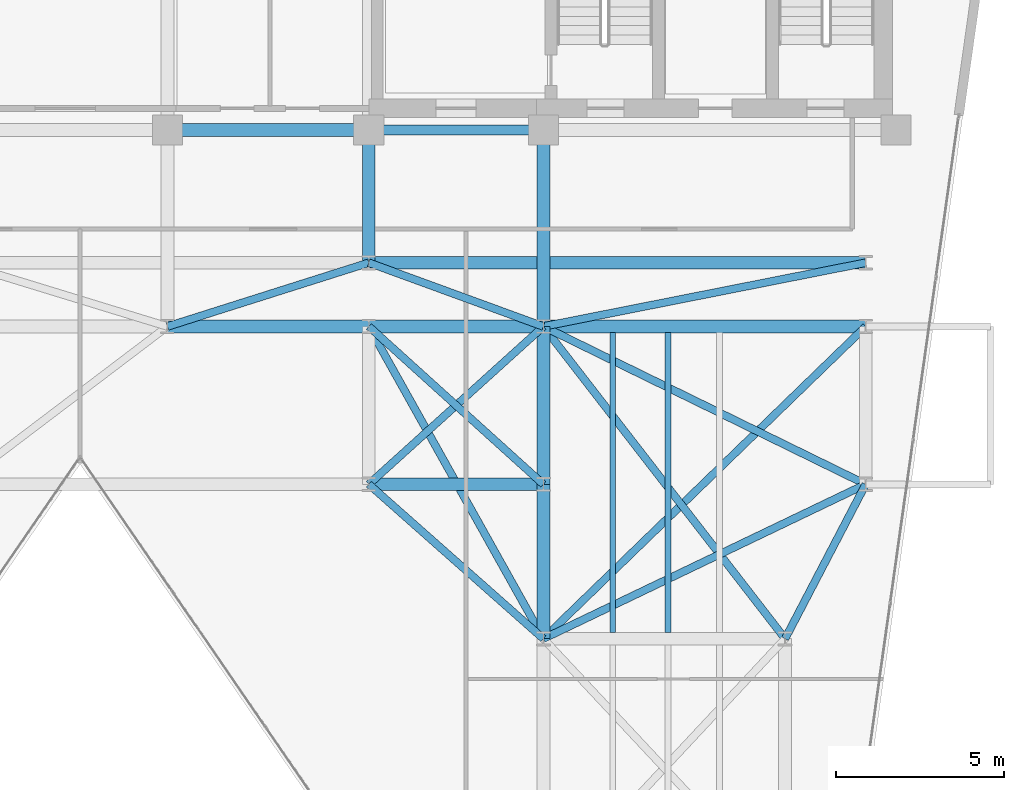
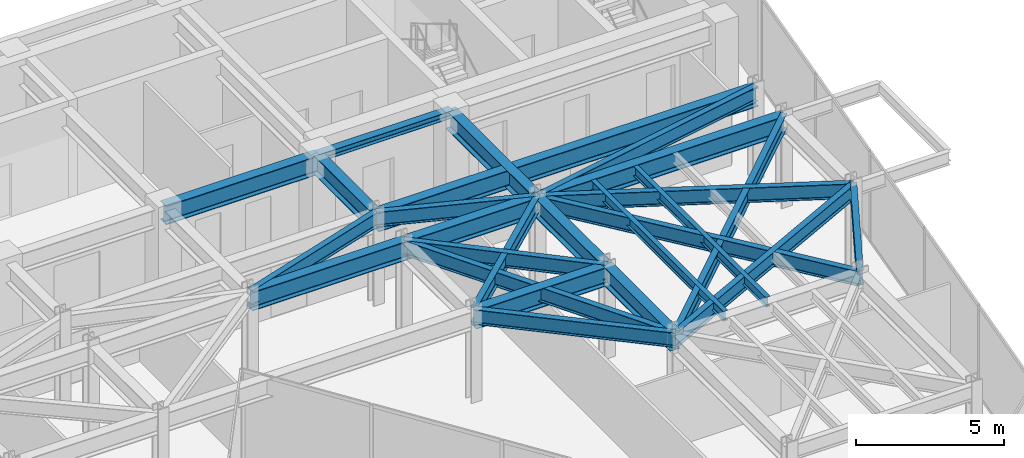
# One storey, part 13 of 21: 25 beams.
"""IFC4 building model written with IfcOpenShell, lengths in metres."""

from ifc_helpers import new_model, si_unit, direction, frame, origin, origin_2d, place, context, subcontext, project, spatial, i_section, extrude, material, material_profile, profile_set, type_object, element, save


model = new_model("IFC4")

# Units and contexts
model_context = context("Model", 3, precision=1e-05, world=origin(), true_north=direction((0.0, 1.0)))
body_context = subcontext(model_context, "Body", "Model", "MODEL_VIEW")
ifc_project = project(units=[si_unit("LENGTHUNIT", "METRE"), si_unit("AREAUNIT", "SQUARE_METRE"), si_unit("VOLUMEUNIT", "CUBIC_METRE"), si_unit("PLANEANGLEUNIT", "RADIAN"), si_unit("MASSUNIT", "GRAM", prefix="KILO")], contexts=[model_context])

# Site, building, storey
site_placement = place(None, origin())
site = spatial("IfcSite", under=ifc_project, at=site_placement, CompositionType="ELEMENT")
building_placement = place(site_placement, origin())
building = spatial("IfcBuilding", under=site, at=building_placement, Name="Kravanh Interchange Tower", CompositionType="ELEMENT")
storey_placement = place(building_placement, frame((0.0, 0.0, 160.5)))
storey = spatial("IfcBuildingStorey", under=building, at=storey_placement, Name="L38", CompositionType="ELEMENT", Elevation=160.5)

# Beams
ifc_material_1 = material(Name="Structural Steel S355", Category="steel")
ifc_material_profile_1 = material_profile(ifc_material_1, i_section(OverallWidth=0.381103515625, OverallDepth=0.77294921875, WebThickness=0.0166015625, FlangeThickness=0.027099609375, FilletRadius=0.02490234375, at=origin_2d()), Name="W30X173")
ifc_profile_set_1 = profile_set([ifc_material_profile_1], Name="Structural Steel S355")
beam_type_1 = type_object("IfcBeamType", Name="Floor Beam W30X173 Structural Steel S355", PredefinedType="BEAM", material=ifc_profile_set_1)
beam_1_placement = place(storey_placement, frame((56.0, 37.35009765625, 3.368408203125), z_axis=(0.0, -1.0, 0.0), x_axis=(1.0, 0.0, 0.0)))
element("IfcBeam", 1, at=beam_1_placement, inside=storey, type_object=beam_type_1, Name="L38 Primary Floor Girder 7", PredefinedType="BEAM", context=body_context, shape_type="SweptSolid", body=[
    extrude(i_section(OverallWidth=0.381103515625, OverallDepth=0.77294921875, WebThickness=0.0166015625, FlangeThickness=0.027099609375, FilletRadius=0.02490234375, at=origin_2d()), origin(), (0.0, 0.0, 1.0), 5.85009765625),
])
beam_2_placement = place(storey_placement, frame((50.800048828125, 37.35009765625, 3.368408203125), z_axis=(0.0, -1.0, 0.0), x_axis=(1.0, 0.0, 0.0)))
element("IfcBeam", 2, at=beam_2_placement, inside=storey, type_object=beam_type_1, Name="L38 Primary Floor Girder 10", PredefinedType="BEAM", context=body_context, shape_type="SweptSolid", body=[
    extrude(i_section(OverallWidth=0.381103515625, OverallDepth=0.77294921875, WebThickness=0.0166015625, FlangeThickness=0.027099609375, FilletRadius=0.02490234375, at=origin_2d()), origin(), (0.0, 0.0, 1.0), 3.9501953125),
])
beam_3_placement = place(storey_placement, frame((50.800048828125, 37.35009765625, 3.368408203125), z_axis=(-1.0, 0.0, 0.0), x_axis=(0.0, -1.0, 0.0)))
element("IfcBeam", 3, at=beam_3_placement, inside=storey, type_object=beam_type_1, Name="L38 Primary Floor Girder 11", PredefinedType="BEAM", context=body_context, shape_type="SweptSolid", body=[
    extrude(i_section(OverallWidth=0.381103515625, OverallDepth=0.77294921875, WebThickness=0.0166015625, FlangeThickness=0.027099609375, FilletRadius=0.02490234375, at=origin_2d()), origin(), (0.0, 0.0, 1.0), 6.0),
])
beam_4_placement = place(storey_placement, frame((50.800048828125, 26.800048828125, 3.368408203125), z_axis=(1.0, 0.0, 0.0), x_axis=(0.0, 1.0, 0.0)))
element("IfcBeam", 4, at=beam_4_placement, inside=storey, type_object=beam_type_1, Name="L38 Primary Floor Girder 50", PredefinedType="BEAM", context=body_context, shape_type="SweptSolid", body=[
    extrude(i_section(OverallWidth=0.381103515625, OverallDepth=0.77294921875, WebThickness=0.0166015625, FlangeThickness=0.027099609375, FilletRadius=0.02490234375, at=origin_2d()), origin(), (0.0, 0.0, 1.0), 5.199951171875),
])
beam_5_placement = place(storey_placement, frame((56.0, 26.800048828125, 3.368408203125), z_axis=(0.0, -1.0, 0.0), x_axis=(1.0, 0.0, 0.0)))
element("IfcBeam", 5, at=beam_5_placement, inside=storey, type_object=beam_type_1, Name="L38 Primary Floor Girder 53", PredefinedType="BEAM", context=body_context, shape_type="SweptSolid", body=[
    extrude(i_section(OverallWidth=0.381103515625, OverallDepth=0.77294921875, WebThickness=0.0166015625, FlangeThickness=0.027099609375, FilletRadius=0.02490234375, at=origin_2d()), origin(), (0.0, 0.0, 1.0), 4.60009765625),
])
beam_6_placement = place(storey_placement, frame((56.0, 26.800048828125, 3.368408203125), z_axis=(0.0, 1.0, 0.0), x_axis=(-1.0, 0.0, 0.0)))
element("IfcBeam", 6, at=beam_6_placement, inside=storey, type_object=beam_type_1, Name="L38 Primary Floor Girder 54", PredefinedType="BEAM", context=body_context, shape_type="SweptSolid", body=[
    extrude(i_section(OverallWidth=0.381103515625, OverallDepth=0.77294921875, WebThickness=0.0166015625, FlangeThickness=0.027099609375, FilletRadius=0.02490234375, at=origin_2d()), origin(), (0.0, 0.0, 1.0), 4.699951171875),
])
beam_7_placement = place(storey_placement, frame((44.800048828125, 31.5, 3.368408203125), z_axis=(1.0, 0.0, 0.0), x_axis=(0.0, 1.0, 0.0)))
element("IfcBeam", 7, at=beam_7_placement, inside=storey, type_object=beam_type_1, Name="L38 Primary Floor Girder 74", PredefinedType="BEAM", context=body_context, shape_type="SweptSolid", body=[
    extrude(i_section(OverallWidth=0.381103515625, OverallDepth=0.77294921875, WebThickness=0.0166015625, FlangeThickness=0.027099609375, FilletRadius=0.02490234375, at=origin_2d()), origin(), (0.0, 0.0, 1.0), 6.0),
])
beam_8_placement = place(storey_placement, frame((50.800048828125, 31.5, 3.368408203125), z_axis=(1.0, 0.0, 0.0), x_axis=(0.0, 1.0, 0.0)))
element("IfcBeam", 8, at=beam_8_placement, inside=storey, type_object=beam_type_1, Name="L38 Primary Floor Girder 77", PredefinedType="BEAM", context=body_context, shape_type="SweptSolid", body=[
    extrude(i_section(OverallWidth=0.381103515625, OverallDepth=0.77294921875, WebThickness=0.0166015625, FlangeThickness=0.027099609375, FilletRadius=0.02490234375, at=origin_2d()), origin(), (0.0, 0.0, 1.0), 5.199951171875),
])
beam_9_placement = place(storey_placement, frame((56.0, 31.5, 3.368408203125), z_axis=(1.0, 0.0, 0.0), x_axis=(0.0, 1.0, 0.0)))
element("IfcBeam", 9, at=beam_9_placement, inside=storey, type_object=beam_type_1, Name="L38 Primary Floor Girder 81", PredefinedType="BEAM", context=body_context, shape_type="SweptSolid", body=[
    extrude(i_section(OverallWidth=0.381103515625, OverallDepth=0.77294921875, WebThickness=0.0166015625, FlangeThickness=0.027099609375, FilletRadius=0.02490234375, at=origin_2d()), origin(), (0.0, 0.0, 1.0), 9.60009765625),
])
beam_10_placement = place(storey_placement, frame((50.800048828125, 33.39990234375, 3.368408203125), z_axis=(1.0, 0.0, 0.0), x_axis=(0.0, 1.0, 0.0)))
element("IfcBeam", 10, at=beam_10_placement, inside=storey, type_object=beam_type_1, Name="L38 Primary Floor Girder 95", PredefinedType="BEAM", context=body_context, shape_type="SweptSolid", body=[
    extrude(i_section(OverallWidth=0.381103515625, OverallDepth=0.77294921875, WebThickness=0.0166015625, FlangeThickness=0.027099609375, FilletRadius=0.02490234375, at=origin_2d()), origin(), (0.0, 0.0, 1.0), 14.800048828125),
])
ifc_material_2 = material(Name="Structural Steel S355", Category="steel")
ifc_material_profile_2 = material_profile(ifc_material_2, i_section(OverallWidth=0.177978515625, OverallDepth=0.406005859375, WebThickness=0.0078125, FlangeThickness=0.0126953125, FilletRadius=0.01611328125, at=origin_2d()), Name="W16X40")
ifc_profile_set_2 = profile_set([ifc_material_profile_2], Name="Structural Steel S355")
beam_type_2 = type_object("IfcBeamType", Name="Floor Joist W16X40 Structural Steel S355", PredefinedType="JOIST", material=ifc_profile_set_2)
for number, where, z_axis, x_axis, name in (
    (11, (58.06591796875, 22.385498046875, 3.552001953125), (0.0, 1.0, 0.0), (-1.0, 0.0, 0.0), "L38 Secondary Floor Joist 10"),
    (12, (59.718017578125, 22.385498046875, 3.552001953125), (0.0, 1.0, 0.0), (-1.0, 0.0, 0.0), "L38 Secondary Floor Joist 11"),
):
    element("IfcBeam", number, at=place(storey_placement, frame(where, z_axis=z_axis, x_axis=x_axis)), inside=storey, type_object=beam_type_2, Name=name, PredefinedType="JOIST", context=body_context, shape_type="SweptSolid", body=[
        extrude(i_section(OverallWidth=0.177978515625, OverallDepth=0.406005859375, WebThickness=0.0078125, FlangeThickness=0.0126953125, FilletRadius=0.01611328125, at=origin_2d()), origin(), (0.0, 0.0, 1.0), 8.928955078125),
    ])
ifc_material_3 = material(Name="Structural Steel S355", Category="steel")
ifc_material_profile_3 = material_profile(ifc_material_3, i_section(OverallWidth=0.304931640625, OverallDepth=0.306884765625, WebThickness=0.010009765625, FlangeThickness=0.015380859375, FilletRadius=0.014892578125, at=origin_2d()), Name="W12X65")
ifc_profile_set_3 = profile_set([ifc_material_profile_3], Name="Structural Steel S355")
beam_type_3 = type_object("IfcBeamType", Name="Floor Lintel W12X65 Structural Steel S355", PredefinedType="LINTEL", material=ifc_profile_set_3)
beam_11_placement = place(storey_placement, frame((50.800048828125, 37.35009765625, 3.6015625), z_axis=(1.0, 0.0, 0.0), x_axis=(0.0, 1.0, 0.0)))
element("IfcBeam", 13, at=beam_11_placement, inside=storey, type_object=beam_type_3, Name="L38 Core Coupling Lintel 1", PredefinedType="LINTEL", context=body_context, shape_type="SweptSolid", body=[
    extrude(i_section(OverallWidth=0.304931640625, OverallDepth=0.306884765625, WebThickness=0.010009765625, FlangeThickness=0.015380859375, FilletRadius=0.014892578125, at=origin_2d()), origin(), (0.0, 0.0, 1.0), 5.199951171875),
])
ifc_material_4 = material(Name="Structural Steel S355", Category="steel")
ifc_material_profile_4 = material_profile(ifc_material_4, i_section(OverallWidth=0.22802734375, OverallDepth=0.60791015625, WebThickness=0.01123046875, FlangeThickness=0.017333984375, FilletRadius=0.02197265625, at=origin_2d()), Name="W24X76")
ifc_profile_set_4 = profile_set([ifc_material_profile_4], Name="Structural Steel S355")
beam_type_4 = type_object("IfcBeamType", Name="Floor Spandrel W24X76 Structural Steel S355", PredefinedType="SPANDREL", material=ifc_profile_set_4)
beam_12_placement = place(storey_placement, frame((50.800048828125, 26.800048828125, 3.450927734375), z_axis=(0.74898649432, -0.662585263439, 0.0), x_axis=(0.662585263439, 0.74898649432, 0.0)))
element("IfcBeam", 14, at=beam_12_placement, inside=storey, type_object=beam_type_4, Name="L38 Perimeter Spandrel 51", PredefinedType="SPANDREL", context=body_context, shape_type="SweptSolid", body=[
    extrude(i_section(OverallWidth=0.22802734375, OverallDepth=0.60791015625, WebThickness=0.01123046875, FlangeThickness=0.017333984375, FilletRadius=0.02197265625, at=origin_2d()), origin(), (0.0, 0.0, 1.0), 6.942626953125),
])
for number, where, z_axis, x_axis, name in (
    (15, (50.800048828125, 26.800048828125, 3.450927734375), (0.741874009795, 0.670539300557, 0.0), (-0.670539300557, 0.741874009795, 0.0), "L38 Perimeter Spandrel 52"),
    (16, (56.0, 26.800048828125, 3.450927734375), (-0.741874009795, 0.670539300557, 0.0), (-0.670539300557, -0.741874009795, 0.0), "L38 Perimeter Spandrel 55"),
):
    element("IfcBeam", number, at=place(storey_placement, frame(where, z_axis=z_axis, x_axis=x_axis)), inside=storey, type_object=beam_type_4, Name=name, PredefinedType="SPANDREL", context=body_context, shape_type="SweptSolid", body=[
        extrude(i_section(OverallWidth=0.22802734375, OverallDepth=0.60791015625, WebThickness=0.01123046875, FlangeThickness=0.017333984375, FilletRadius=0.02197265625, at=origin_2d()), origin(), (0.0, 0.0, 1.0), 7.00927734375),
    ])
beam_13_placement = place(storey_placement, frame((65.60009765625, 26.800048828125, 3.450927734375), z_axis=(-0.462580479178, -0.886577295155, 0.0), x_axis=(0.886577295155, -0.462580479178, 0.0)))
element("IfcBeam", 17, at=beam_13_placement, inside=storey, type_object=beam_type_4, Name="L38 Perimeter Spandrel 58", PredefinedType="SPANDREL", context=body_context, shape_type="SweptSolid", body=[
    extrude(i_section(OverallWidth=0.22802734375, OverallDepth=0.60791015625, WebThickness=0.01123046875, FlangeThickness=0.017333984375, FilletRadius=0.02197265625, at=origin_2d()), origin(), (0.0, 0.0, 1.0), 5.188720703125),
])
beam_14_placement = place(storey_placement, frame((65.60009765625, 26.800048828125, 3.450927734375), z_axis=(-0.901814166789, -0.432124066188, 0.0), x_axis=(0.432124066188, -0.901814166789, 0.0)))
element("IfcBeam", 18, at=beam_14_placement, inside=storey, type_object=beam_type_4, Name="L38 Perimeter Spandrel 59", PredefinedType="SPANDREL", context=body_context, shape_type="SweptSolid", body=[
    extrude(i_section(OverallWidth=0.22802734375, OverallDepth=0.60791015625, WebThickness=0.01123046875, FlangeThickness=0.017333984375, FilletRadius=0.02197265625, at=origin_2d()), origin(), (0.0, 0.0, 1.0), 10.645263671875),
])
beam_15_placement = place(storey_placement, frame((65.60009765625, 26.800048828125, 3.450927734375), z_axis=(-0.898141688387, 0.439706160499, 0.0), x_axis=(-0.439706160499, -0.898141688387, 0.0)))
element("IfcBeam", 19, at=beam_15_placement, inside=storey, type_object=beam_type_4, Name="L38 Perimeter Spandrel 60", PredefinedType="SPANDREL", context=body_context, shape_type="SweptSolid", body=[
    extrude(i_section(OverallWidth=0.22802734375, OverallDepth=0.60791015625, WebThickness=0.01123046875, FlangeThickness=0.017333984375, FilletRadius=0.02197265625, at=origin_2d()), origin(), (0.0, 0.0, 1.0), 10.68896484375),
])
beam_16_placement = place(storey_placement, frame((44.800048828125, 31.5, 3.450927734375), z_axis=(0.953346691051, 0.301877602122, 0.0), x_axis=(-0.301877602122, 0.953346691051, 0.0)))
element("IfcBeam", 20, at=beam_16_placement, inside=storey, type_object=beam_type_4, Name="L38 Perimeter Spandrel 75", PredefinedType="SPANDREL", context=body_context, shape_type="SweptSolid", body=[
    extrude(i_section(OverallWidth=0.22802734375, OverallDepth=0.60791015625, WebThickness=0.01123046875, FlangeThickness=0.017333984375, FilletRadius=0.02197265625, at=origin_2d()), origin(), (0.0, 0.0, 1.0), 6.293701171875),
])
beam_17_placement = place(storey_placement, frame((50.800048828125, 31.5, 3.450927734375), z_axis=(0.488026248114, -0.872828952975, 0.0), x_axis=(0.872828952975, 0.488026248114, 0.0)))
element("IfcBeam", 21, at=beam_17_placement, inside=storey, type_object=beam_type_4, Name="L38 Perimeter Spandrel 78", PredefinedType="SPANDREL", context=body_context, shape_type="SweptSolid", body=[
    extrude(i_section(OverallWidth=0.22802734375, OverallDepth=0.60791015625, WebThickness=0.01123046875, FlangeThickness=0.017333984375, FilletRadius=0.02197265625, at=origin_2d()), origin(), (0.0, 0.0, 1.0), 10.655029296875),
])
beam_18_placement = place(storey_placement, frame((56.0, 31.5, 3.450927734375), z_axis=(-0.93926957103, 0.343180233896, 0.0), x_axis=(-0.343180233896, -0.93926957103, 0.0)))
element("IfcBeam", 22, at=beam_18_placement, inside=storey, type_object=beam_type_4, Name="L38 Perimeter Spandrel 80", PredefinedType="SPANDREL", context=body_context, shape_type="SweptSolid", body=[
    extrude(i_section(OverallWidth=0.22802734375, OverallDepth=0.60791015625, WebThickness=0.01123046875, FlangeThickness=0.017333984375, FilletRadius=0.02197265625, at=origin_2d()), origin(), (0.0, 0.0, 1.0), 5.5361328125),
])
beam_19_placement = place(storey_placement, frame((56.0, 31.5, 3.450927734375), z_axis=(0.980974000807, 0.194139150457, 0.0), x_axis=(-0.194139150457, 0.980974000807, 0.0)))
element("IfcBeam", 23, at=beam_19_placement, inside=storey, type_object=beam_type_4, Name="L38 Perimeter Spandrel 82", PredefinedType="SPANDREL", context=body_context, shape_type="SweptSolid", body=[
    extrude(i_section(OverallWidth=0.22802734375, OverallDepth=0.60791015625, WebThickness=0.01123046875, FlangeThickness=0.017333984375, FilletRadius=0.02197265625, at=origin_2d()), origin(), (0.0, 0.0, 1.0), 9.786376953125),
])
beam_20_placement = place(storey_placement, frame((56.0, 31.5, 3.450927734375), z_axis=(0.612168587637, -0.790727273028, 0.0), x_axis=(0.790727273028, 0.612168587637, 0.0)))
element("IfcBeam", 24, at=beam_20_placement, inside=storey, type_object=beam_type_4, Name="L38 Perimeter Spandrel 83", PredefinedType="SPANDREL", context=body_context, shape_type="SweptSolid", body=[
    extrude(i_section(OverallWidth=0.22802734375, OverallDepth=0.60791015625, WebThickness=0.01123046875, FlangeThickness=0.017333984375, FilletRadius=0.02197265625, at=origin_2d()), origin(), (0.0, 0.0, 1.0), 11.761474609375),
])
beam_21_placement = place(storey_placement, frame((65.60009765625, 31.5, 3.450927734375), z_axis=(-0.718241934329, -0.695793449072, 0.0), x_axis=(0.695793449072, -0.718241934329, 0.0)))
element("IfcBeam", 25, at=beam_21_placement, inside=storey, type_object=beam_type_4, Name="L38 Perimeter Spandrel 85", PredefinedType="SPANDREL", context=body_context, shape_type="SweptSolid", body=[
    extrude(i_section(OverallWidth=0.22802734375, OverallDepth=0.60791015625, WebThickness=0.01123046875, FlangeThickness=0.017333984375, FilletRadius=0.02197265625, at=origin_2d()), origin(), (0.0, 0.0, 1.0), 13.3662109375),
])

save(model, "model.ifc")
